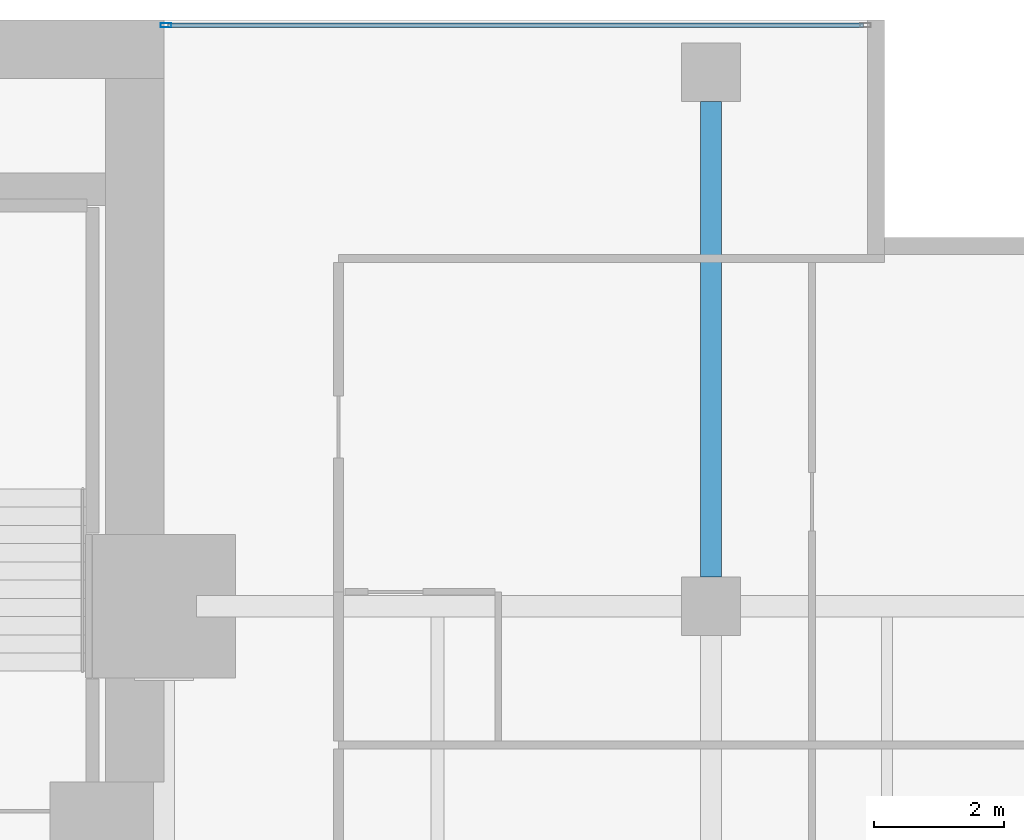
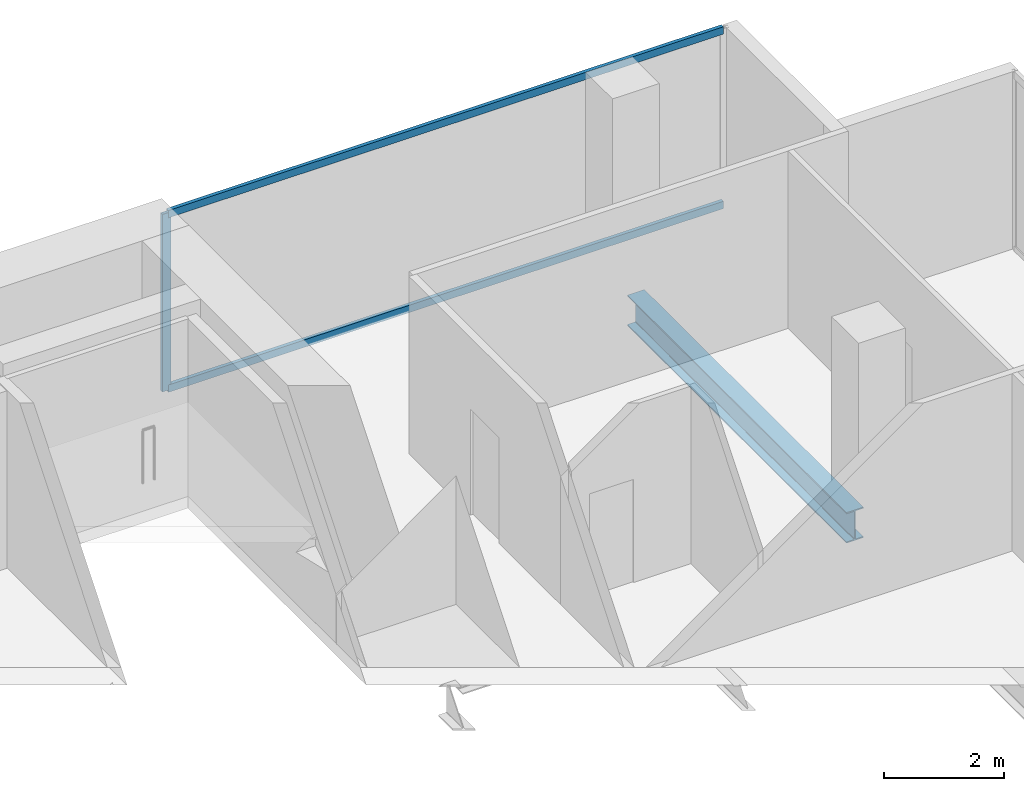
# One storey, part 30 of 40: 3 members, 1 beam, 1 element without a shape of its own.
"""IFC4 building model written with IfcOpenShell, lengths in metres."""

from ifc_helpers import new_model, si_unit, direction, frame, origin, origin_2d, place, context, subcontext, project, spatial, hollow_rectangle, i_section, extrude, material, layer, layer_set, material_profile, profile_set, type_object, element, aggregate, save


model = new_model("IFC4")

# Units and contexts
model_context = context("Model", 3, precision=1e-05, world=origin(), true_north=direction((0.0, 1.0)))
body_context = subcontext(model_context, "Body", "Model", "MODEL_VIEW")
ifc_project = project(units=[si_unit("LENGTHUNIT", "METRE"), si_unit("AREAUNIT", "SQUARE_METRE"), si_unit("VOLUMEUNIT", "CUBIC_METRE"), si_unit("PLANEANGLEUNIT", "RADIAN"), si_unit("MASSUNIT", "GRAM", prefix="KILO")], contexts=[model_context])

# Site, building, storey
site_placement = place(None, origin())
site = spatial("IfcSite", under=ifc_project, at=site_placement, CompositionType="ELEMENT")
building_placement = place(site_placement, origin())
building = spatial("IfcBuilding", under=site, at=building_placement, Name="Maruvema Waterfront Hotel and Observation Tower", CompositionType="ELEMENT")
storey_placement = place(building_placement, frame((0.0, 0.0, 50.050048828125)))
storey = spatial("IfcBuildingStorey", under=building, at=storey_placement, Name="L11", CompositionType="ELEMENT", Elevation=50.050048828125)

# Curtain wall, members
ifc_material_1 = material(Name="Anodised bronze aluminium and solar-control low-E IGU", Category="aluminium")
ifc_layer = layer(ifc_material_1, 0.159912109375, Name="Zone 1 Bronze Inner Thermal Curtain Wall System CW-02")
ifc_layer_set = layer_set([ifc_layer], Name="Anodised bronze aluminium and solar-control low-E IGU")
curtain_wall_type = type_object("IfcCurtainWallType", Name="Zone 1 Bronze Inner Thermal Curtain Wall System CW-02", PredefinedType="USERDEFINED", material=ifc_layer_set)
curtain_wall_placement = place(storey_placement, origin())
curtain_wall = element("IfcCurtainWall", 1, at=curtain_wall_placement, inside=storey, type_object=curtain_wall_type, Name="L11 Curtain Wall CW-L11-NE", ObjectType="UNITISED CURTAIN WALL", PredefinedType="USERDEFINED")
ifc_material_2 = material(Name="Anodised architectural bronze aluminium", Category="aluminium")
ifc_material_profile_1 = material_profile(ifc_material_2, hollow_rectangle(XDim=0.070068359375, YDim=0.14990234375, WallThickness=0.00390625, at=origin_2d()), Name="ALU-T70x150")
ifc_profile_set_1 = profile_set([ifc_material_profile_1], Name="Anodised architectural bronze aluminium")
member_type_1 = type_object("IfcMemberType", Name="Curtain Wall Horizontal Transom ALU-T70x150", PredefinedType="USERDEFINED", material=ifc_profile_set_1)
member_1_placement = place(storey_placement, frame((61.139892578125, 53.919921875, 0.030029296875), z_axis=(-1.0, 0.0, 0.0), x_axis=(0.0, -1.0, 0.0)))
member_1 = element("IfcMember", 2, at=member_1_placement, type_object=member_type_1, Name="CW-02 transom 1.1", ObjectType="TRANSOM", PredefinedType="USERDEFINED", context=body_context, shape_type="SweptSolid", body=[
    extrude(hollow_rectangle(XDim=0.070068359375, YDim=0.14990234375, WallThickness=0.00390625, at=origin_2d()), origin(), (0.0, 0.0, 1.0), 10.679931640625),
])
member_2_placement = place(storey_placement, frame((61.139892578125, 53.919921875, 3.579833984375), z_axis=(-1.0, 0.0, 0.0), x_axis=(0.0, -1.0, 0.0)))
member_2 = element("IfcMember", 3, at=member_2_placement, type_object=member_type_1, Name="CW-02 transom 1.2", ObjectType="TRANSOM", PredefinedType="USERDEFINED", context=body_context, shape_type="SweptSolid", body=[
    extrude(hollow_rectangle(XDim=0.070068359375, YDim=0.14990234375, WallThickness=0.00390625, at=origin_2d()), origin(), (0.0, 0.0, 1.0), 10.679931640625),
])
ifc_material_3 = material(Name="Anodised architectural bronze aluminium", Category="aluminium")
ifc_material_profile_2 = material_profile(ifc_material_3, hollow_rectangle(XDim=0.06494140625, YDim=0.1650390625, WallThickness=0.00390625, at=origin_2d()), Name="ALU-M65x165")
ifc_profile_set_2 = profile_set([ifc_material_profile_2], Name="Anodised architectural bronze aluminium")
member_type_2 = type_object("IfcMemberType", Name="Curtain Wall Primary Mullion ALU-M65x165", PredefinedType="MULLION", material=ifc_profile_set_2)
member_3_placement = place(storey_placement, frame((50.429931640625, 53.919921875, 0.0), z_axis=(0.0, 0.0, 1.0), x_axis=(0.0, -1.0, 0.0)))
member_3 = element("IfcMember", 4, at=member_3_placement, type_object=member_type_2, Name="CW-02 mullion 2", PredefinedType="MULLION", context=body_context, shape_type="SweptSolid", body=[
    extrude(hollow_rectangle(XDim=0.06494140625, YDim=0.1650390625, WallThickness=0.00390625, at=origin_2d()), origin(), (0.0, 0.0, 1.0), 3.60986328125),
])
aggregate(curtain_wall, [member_3, member_1, member_2])

# Beam
ifc_material_4 = material(Name="Steel ASTM A572 Grade 50", Category="steel")
ifc_material_profile_3 = material_profile(ifc_material_4, i_section(OverallWidth=0.326904296875, OverallDepth=0.6220703125, WebThickness=0.015380859375, FlangeThickness=0.0244140625, FilletRadius=0.01806640625, at=origin_2d()), Name="W610x195.0")
ifc_profile_set_3 = profile_set([ifc_material_profile_3], Name="Steel ASTM A572 Grade 50")
beam_type = type_object("IfcBeamType", Name="Primary Floor Girder W610x195.0", PredefinedType="BEAM", material=ifc_profile_set_3)
beam_placement = place(storey_placement, frame((58.800048828125, 45.449951171875, -0.551025390625), z_axis=(0.0, 1.0, 0.0), x_axis=(-1.0, 0.0, 0.0)))
element("IfcBeam", 5, at=beam_placement, inside=storey, type_object=beam_type, Name="L11 Floor Girder NS-32", PredefinedType="BEAM", context=body_context, shape_type="SweptSolid", body=[
    extrude(i_section(OverallWidth=0.326904296875, OverallDepth=0.6220703125, WebThickness=0.015380859375, FlangeThickness=0.0244140625, FilletRadius=0.01806640625, at=origin_2d()), origin(), (0.0, 0.0, 1.0), 7.300048828125),
])

save(model, "model.ifc")
